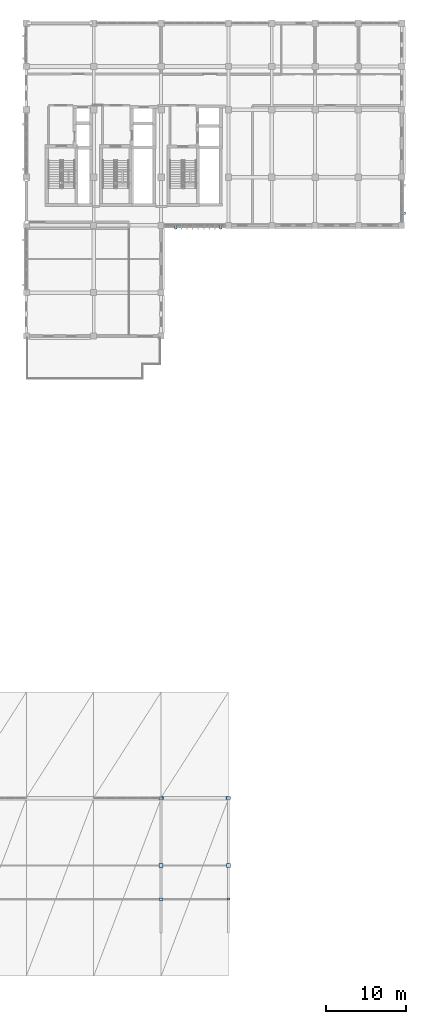
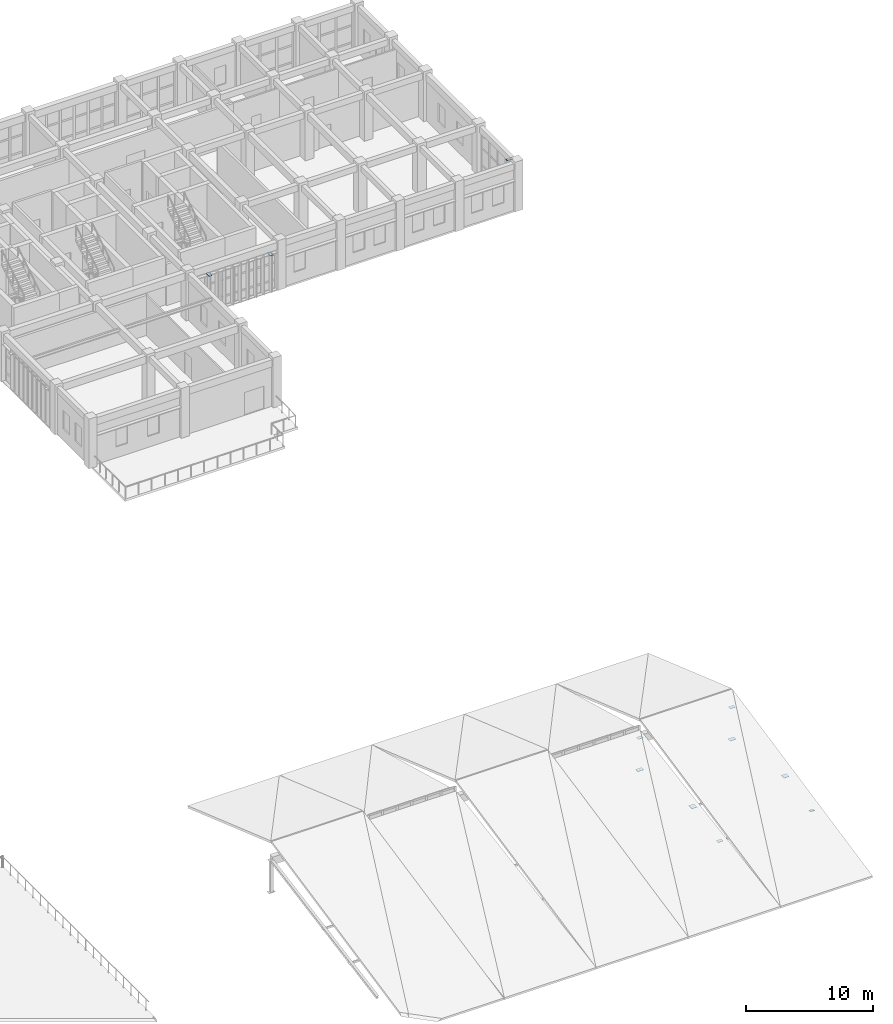
# One storey, part 66 of 76: 11 plates.
"""IFC4 building model written with IfcOpenShell, lengths in metres."""

from ifc_helpers import new_model, si_unit, direction, frame, origin, origin_2d, place, context, subcontext, project, spatial, rectangle, extrude, material, layer, layer_set, type_object, element, save


model = new_model("IFC4")

# Units and contexts
model_context = context("Model", 3, precision=1e-05, world=origin(), true_north=direction((0.0, 1.0)))
body_context = subcontext(model_context, "Body", "Model", "MODEL_VIEW")
ifc_project = project(units=[si_unit("LENGTHUNIT", "METRE"), si_unit("AREAUNIT", "SQUARE_METRE"), si_unit("VOLUMEUNIT", "CUBIC_METRE"), si_unit("PLANEANGLEUNIT", "RADIAN"), si_unit("MASSUNIT", "GRAM", prefix="KILO")], contexts=[model_context])

# Site, building, storey
site_placement = place(None, origin())
site = spatial("IfcSite", under=ifc_project, at=site_placement, CompositionType="ELEMENT")
building_placement = place(site_placement, origin())
building = spatial("IfcBuilding", under=site, at=building_placement, Name="Krzemoval Escarpment Law Courts", CompositionType="ELEMENT")
storey_placement = place(building_placement, frame((0.0, 0.0, 20.39990234375)))
storey = spatial("IfcBuildingStorey", under=building, at=storey_placement, Name="L04", CompositionType="ELEMENT", Elevation=20.39990234375)

# Plates
ifc_material_1 = material(Name="Anodised Aluminium Alloy 6063-T6", Category="aluminium")
ifc_layer_1 = layer(ifc_material_1, 0.01611328125)
ifc_layer_set_1 = layer_set([ifc_layer_1], Name="Anodised Aluminium Alloy 6063-T6")
plate_type_1 = type_object("IfcPlateType", Name="PLT-FIN-16", PredefinedType="USERDEFINED", material=ifc_layer_set_1)
for number, where, z_axis, x_axis, name in (
    (1, (173.0, 95.10009765625, 3.77197265625), (0.0, 0.0, 1.0), (1.0, 0.0, 0.0), "Sunshade Fin Blade FN-L04-0876"),
    (2, (150.22509765625, 93.39990234375, 3.6220703125), (0.0, 0.0, 1.0), (0.0, -1.0, 0.0), "Sunshade Fin Blade FN-L04-0883"),
    (3, (144.625, 93.39990234375, 3.6220703125), (0.0, 0.0, 1.0), (0.0, -1.0, 0.0), "Sunshade Fin Blade FN-L04-0891"),
):
    element("IfcPlate", number, at=place(storey_placement, frame(where, z_axis=z_axis, x_axis=x_axis)), inside=storey, type_object=plate_type_1, Name=name, ObjectType="SUNSHADE_FIN", PredefinedType="USERDEFINED", context=body_context, shape_type="SweptSolid", body=[
        extrude(rectangle(XDim=0.52001953125, YDim=0.280029296875, at=origin_2d()), origin(), (0.0, 0.0, 1.0), 0.01611328125),
    ])
ifc_material_2 = material(Name="Steel S355", Category="steel")
ifc_layer_2 = layer(ifc_material_2, 0.034912109375)
ifc_layer_set_2 = layer_set([ifc_layer_2], Name="Steel S355")
plate_type_2 = type_object("IfcPlateType", Name="PLT-FLG-35", PredefinedType="USERDEFINED", material=ifc_layer_set_2)
plate_1_placement = place(storey_placement, frame((151.199951171875, 13.800048828125, 1.24267578125), z_axis=(0.0, 0.0, 1.0), x_axis=(1.0, 0.0, 0.0)))
element("IfcPlate", 4, at=plate_1_placement, inside=storey, type_object=plate_type_2, Name="Gusset and End-Cap Plate ECP-0127", ObjectType="FLANGE_PLATE", PredefinedType="USERDEFINED", context=body_context, shape_type="SweptSolid", body=[
    extrude(rectangle(XDim=0.4599609375, YDim=0.4599609375, at=origin_2d()), origin(), (0.0, 0.0, 1.0), 0.034912109375),
])
ifc_material_3 = material(Name="Steel S355", Category="steel")
ifc_layer_3 = layer(ifc_material_3, 0.0400390625)
ifc_layer_set_3 = layer_set([ifc_layer_3], Name="Steel S355")
plate_type_3 = type_object("IfcPlateType", Name="PLT-FLG-40", PredefinedType="USERDEFINED", material=ifc_layer_set_3)
plate_2_placement = place(storey_placement, frame((142.800048828125, 13.800048828125, 1.239990234375), z_axis=(0.0, 0.0, 1.0), x_axis=(1.0, 0.0, 0.0)))
element("IfcPlate", 5, at=plate_2_placement, inside=storey, type_object=plate_type_3, Name="Gusset and End-Cap Plate ECP-0126", ObjectType="FLANGE_PLATE", PredefinedType="USERDEFINED", context=body_context, shape_type="SweptSolid", body=[
    extrude(rectangle(XDim=0.5, YDim=0.5, at=origin_2d()), origin(), (0.0, 0.0, 1.0), 0.0400390625),
])
ifc_material_4 = material(Name="Steel S355", Category="steel")
ifc_layer_4 = layer(ifc_material_4, 0.01611328125)
ifc_layer_set_4 = layer_set([ifc_layer_4], Name="Steel S355")
plate_type_4 = type_object("IfcPlateType", Name="PLT-GUS-16", PredefinedType="USERDEFINED", material=ifc_layer_set_4)
plate_3_placement = place(storey_placement, frame((151.199951171875, 9.60009765625, 0.48193359375), z_axis=(0.0, 0.0, 1.0), x_axis=(1.0, 0.0, 0.0)))
element("IfcPlate", 6, at=plate_3_placement, inside=storey, type_object=plate_type_4, Name="Gusset and End-Cap Plate ECP-0131", ObjectType="GUSSET_PLATE", PredefinedType="USERDEFINED", context=body_context, shape_type="SweptSolid", body=[
    extrude(rectangle(XDim=0.3798828125, YDim=0.260009765625, at=origin_2d()), origin(), (0.0, 0.0, 1.0), 0.01611328125),
])
ifc_material_5 = material(Name="Steel S355", Category="steel")
ifc_layer_5 = layer(ifc_material_5, 0.02001953125)
ifc_layer_set_5 = layer_set([ifc_layer_5], Name="Steel S355")
plate_type_5 = type_object("IfcPlateType", Name="PLT-GUS-20", PredefinedType="USERDEFINED", material=ifc_layer_set_5)
for number, where, z_axis, x_axis, name in (
    (7, (142.800048828125, 22.199951171875, 2.7900390625), (0.0, 0.0, 1.0), (1.0, 0.0, 0.0), "Gusset and End-Cap Plate ECP-0121"),
    (8, (151.199951171875, 22.199951171875, 2.7900390625), (0.0, 0.0, 1.0), (1.0, 0.0, 0.0), "Gusset and End-Cap Plate ECP-0123"),
    (9, (142.800048828125, 9.60009765625, 0.47998046875), (0.0, 0.0, 1.0), (1.0, 0.0, 0.0), "Gusset and End-Cap Plate ECP-0130"),
):
    element("IfcPlate", number, at=place(storey_placement, frame(where, z_axis=z_axis, x_axis=x_axis)), inside=storey, type_object=plate_type_5, Name=name, ObjectType="GUSSET_PLATE", PredefinedType="USERDEFINED", context=body_context, shape_type="SweptSolid", body=[
        extrude(rectangle(XDim=0.47998046875, YDim=0.320068359375, at=origin_2d()), origin(), (0.0, 0.0, 1.0), 0.02001953125),
    ])
ifc_material_6 = material(Name="Steel S355", Category="steel")
ifc_layer_6 = layer(ifc_material_6, 0.030029296875)
ifc_layer_set_6 = layer_set([ifc_layer_6], Name="Steel S355")
plate_type_6 = type_object("IfcPlateType", Name="PLT-GUS-30", PredefinedType="USERDEFINED", material=ifc_layer_set_6)
for number, where, z_axis, x_axis, name in (
    (10, (142.800048828125, 22.199951171875, -0.294921875), (0.0, 0.0, 1.0), (1.0, 0.0, 0.0), "Gusset and End-Cap Plate ECP-0120"),
    (11, (151.199951171875, 22.199951171875, -0.294921875), (0.0, 0.0, 1.0), (1.0, 0.0, 0.0), "Gusset and End-Cap Plate ECP-0122"),
):
    element("IfcPlate", number, at=place(storey_placement, frame(where, z_axis=z_axis, x_axis=x_axis)), inside=storey, type_object=plate_type_6, Name=name, ObjectType="GUSSET_PLATE", PredefinedType="USERDEFINED", context=body_context, shape_type="SweptSolid", body=[
        extrude(rectangle(XDim=0.56005859375, YDim=0.360107421875, at=origin_2d()), origin(), (0.0, 0.0, 1.0), 0.030029296875),
    ])

save(model, "model.ifc")
